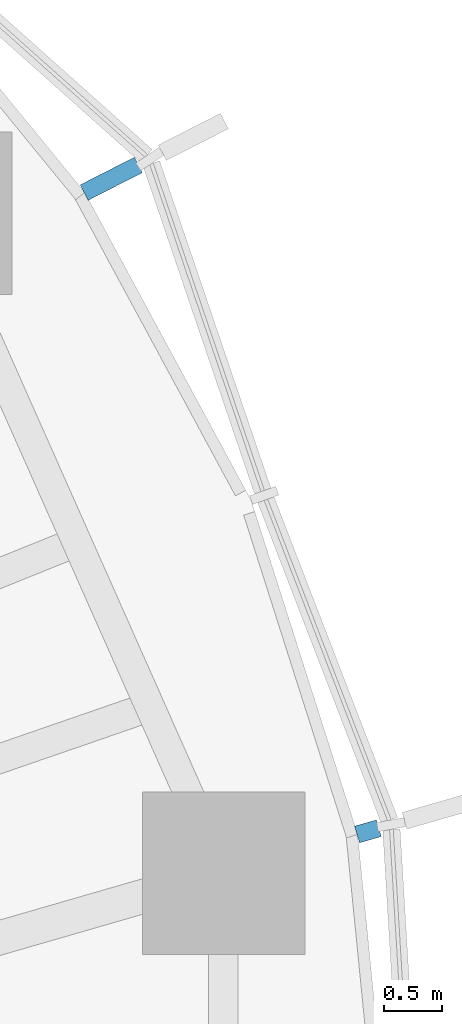
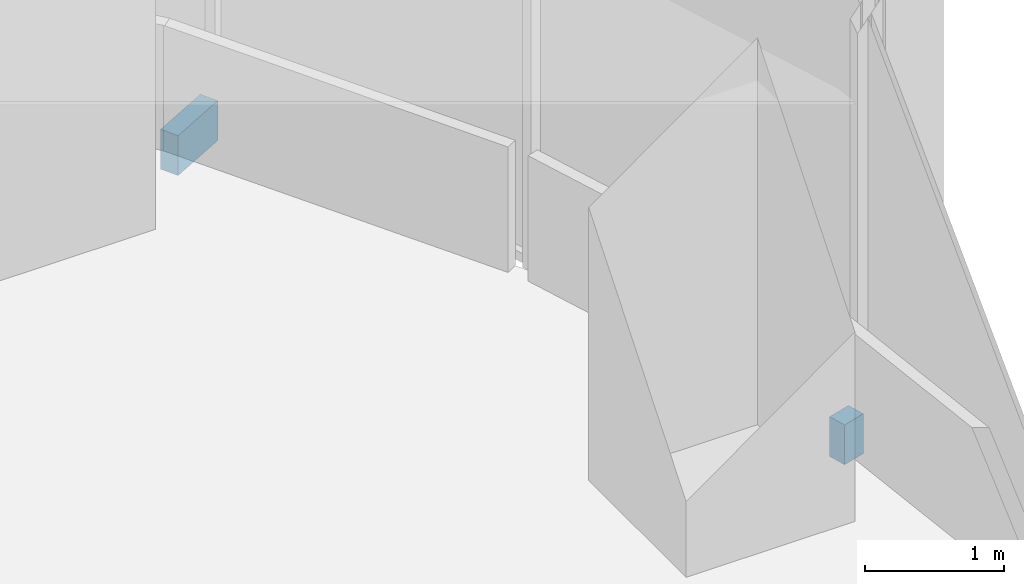
# One storey, part 16 of 18: 2 discrete accessories.
"""IFC4 building model written with IfcOpenShell, lengths in metres."""

import ifcopenshell
import ifcopenshell.guid

model = None  # the IFC model being written
_history = None  # IfcOwnerHistory: only IFC2X3 demands one
_inside = {}  # id of a spatial element -> (the spatial element, [elements in it])
_under = {}  # id of a project, library or spatial element -> (it, [spatial elements below it])
_declared = {}  # id of a project -> (the project, [libraries it declares])
_typed = {}  # id of a type object -> (the type object, [elements of that type])
_made_of = {}  # id of a material, layer set ... -> (it, [elements and type objects made of it])


def new_model(schema):
    """Start an empty IFC model of exactly this schema.

    Asked for "IFC4X3", IfcOpenShell would pick the latest addendum, in which some entities
    have other attributes; the version numbers below select the first issue.
    IFC2X3 requires an IfcOwnerHistory on every rooted entity: one is made here for all.
    """
    global model, _history
    if schema == "IFC4X3":
        model = ifcopenshell.file(schema_version=(4, 3, 0, 0))
    else:
        model = ifcopenshell.file(schema=schema)
    _inside.clear()
    _under.clear()
    _declared.clear()
    _typed.clear()
    _made_of.clear()
    _history = None
    if model.schema == "IFC2X3":
        org = make("IfcOrganization", Name="unknown")
        user = make(
            "IfcPersonAndOrganization",
            ThePerson=make("IfcPerson", FamilyName="unknown"),
            TheOrganization=org,
        )
        app = make(
            "IfcApplication",
            ApplicationDeveloper=org,
            Version="unknown",
            ApplicationFullName="unknown",
            ApplicationIdentifier="unknown",
        )
        _history = make(
            "IfcOwnerHistory",
            OwningUser=user,
            OwningApplication=app,
            ChangeAction="ADDED",
            CreationDate=0,
        )
    return model


def make(cls, **values):
    """One entity of the class cls with the attributes given. An attribute that is None is left unset."""
    return model.create_entity(
        cls, **{name: value for name, value in values.items() if value is not None}
    )


def rooted(cls, **values):
    """An entity with a GlobalId (a new one), such as an element, a storey or a relation."""
    return make(cls, GlobalId=ifcopenshell.guid.new(), OwnerHistory=_history, **values)


def si_unit(unit_type, name, prefix=None):
    """IfcSIUnit, for example si_unit("LENGTHUNIT", "METRE", prefix="MILLI")."""
    return make("IfcSIUnit", UnitType=unit_type, Prefix=prefix, Name=name)


def assignment(units):
    """IfcUnitAssignment: the units of a project."""
    return None if units is None else make("IfcUnitAssignment", Units=units)


def point(xyz):
    """IfcCartesianPoint."""
    return None if xyz is None else make("IfcCartesianPoint", Coordinates=xyz)


def direction(xyz):
    """IfcDirection."""
    return None if xyz is None else make("IfcDirection", DirectionRatios=xyz)


def frame(location, z_axis=None, x_axis=None):
    """IfcAxis2Placement3D, a coordinate frame: its origin and axes. An axis left out is left unset."""
    return make(
        "IfcAxis2Placement3D",
        Location=point(location),
        Axis=direction(z_axis),
        RefDirection=direction(x_axis),
    )


def frame_2d(location, x_axis=None):
    """IfcAxis2Placement2D, a coordinate frame in the plane: its origin and x axis."""
    return make(
        "IfcAxis2Placement2D", Location=point(location), RefDirection=direction(x_axis)
    )


def origin():
    """The frame at (0, 0, 0) with its axes left unset."""
    return frame((0.0, 0.0, 0.0))


def origin_2d():
    """The frame at (0, 0) in the plane with its x axis left unset."""
    return frame_2d((0.0, 0.0))


def place(relative_to, where):
    """IfcLocalPlacement: puts the frame where relative to a parent placement (None: the world)."""
    return make(
        "IfcLocalPlacement", PlacementRelTo=relative_to, RelativePlacement=where
    )


def context(
    kind, dimensions, precision=None, world=None, true_north=None, identifier=None
):
    """IfcGeometricRepresentationContext, for example the 3D "Model" context."""
    return make(
        "IfcGeometricRepresentationContext",
        ContextIdentifier=identifier,
        ContextType=kind,
        CoordinateSpaceDimension=dimensions,
        Precision=precision,
        WorldCoordinateSystem=world,
        TrueNorth=true_north,
    )


def subcontext(parent, identifier, kind, view, scale=None):
    """IfcGeometricRepresentationSubContext, for example "Body" below "Model"."""
    return make(
        "IfcGeometricRepresentationSubContext",
        ContextIdentifier=identifier,
        ContextType=kind,
        ParentContext=parent,
        TargetScale=scale,
        TargetView=view,
    )


def project(units=None, contexts=None):
    """IfcProject with its units and contexts."""
    return rooted(
        "IfcProject",
        Name="project",
        RepresentationContexts=contexts,
        UnitsInContext=assignment(units),
    )


def spatial(cls, under=None, at=None, **own):
    """A site, building, storey or space (cls), placed at a placement, below another one or the project."""
    s = rooted(cls, ObjectPlacement=at, **own)
    if under is not None:
        _under.setdefault(under.id(), (under, []))[1].append(s)
    return s


def profile(cls, at=None, kind="AREA", **sizes):
    """A parametric profile (cls). Its sizes go by their IFC names, for example OverallWidth=200.0."""
    return make(cls, ProfileType=kind, Position=at, **sizes)


def rectangle(**sizes):
    """IfcRectangleProfileDef."""
    return profile("IfcRectangleProfileDef", **sizes)


def extrude(swept, where, along, depth):
    """IfcExtrudedAreaSolid: the profile swept, set in the frame where, extruded along a direction by depth."""
    return make(
        "IfcExtrudedAreaSolid",
        SweptArea=swept,
        Position=where,
        ExtrudedDirection=direction(along),
        Depth=depth,
    )


def shape(context_of_items, identifier, shape_type, items):
    """IfcShapeRepresentation: the items that make up one representation, for example the "Body"."""
    return make(
        "IfcShapeRepresentation",
        ContextOfItems=context_of_items,
        RepresentationIdentifier=identifier,
        RepresentationType=shape_type,
        Items=items,
    )


def material(Name=None, Category=None):
    """IfcMaterial."""
    return make("IfcMaterial", Name=Name, Category=Category)


def made_of(thing, what):
    """Note that an element or type object is made of a material, layer set ...; save() writes the relation."""
    if what is not None:
        _made_of.setdefault(what.id(), (what, []))[1].append(thing)
    return thing


def type_object(cls, material=None, **own):
    """A type object (cls), such as IfcWallType, which elements share."""
    return made_of(rooted(cls, **own), material)


def element(
    cls,
    number,
    at=None,
    inside=None,
    cuts=None,
    type_object=None,
    material=None,
    context=None,
    identifier="Body",
    shape_type=None,
    held_by="IfcProductDefinitionShape",
    body=None,
    shapes=None,
    **own,
):
    """One element of the class cls, such as IfcWall. Its Tag is "e" and its number.

    at: its placement. inside: the storey or other place that contains it. cuts: it is an
    opening in that element (IfcRelVoidsElement). A single representation is given by context,
    identifier, shape_type and body (its items); several are given by shapes. held_by: the class
    of the entity that holds the representations. save() writes the other relations.
    """
    e = rooted(cls, Tag="e%d" % number, ObjectPlacement=at, **own)
    if body is not None:
        shapes = [shape(context, identifier, shape_type, body)]
    if shapes is not None:
        e.Representation = make(held_by, Representations=shapes)
    if inside is not None:
        _inside.setdefault(inside.id(), (inside, []))[1].append(e)
    if cuts is not None:
        rooted(
            "IfcRelVoidsElement", RelatingBuildingElement=cuts, RelatedOpeningElement=e
        )
    if type_object is not None:
        _typed.setdefault(type_object.id(), (type_object, []))[1].append(e)
    return made_of(e, material)


def aggregate(whole, parts):
    """IfcRelAggregates: a whole, such as a stair, and the parts it consists of."""
    return rooted("IfcRelAggregates", RelatingObject=whole, RelatedObjects=parts)


def save(model, path):
    """Write the relations noted so far, then the file.

    IfcRelAggregates (storeys below a building ...), IfcRelContainedInSpatialStructure (elements
    in a storey), IfcRelDefinesByType, IfcRelAssociatesMaterial and IfcRelDeclares: one each for
    every whole, place, type object, material and project.
    """
    for whole, parts in _under.values():
        aggregate(whole, parts)
    for where, things in _inside.values():
        rooted(
            "IfcRelContainedInSpatialStructure",
            RelatedElements=things,
            RelatingStructure=where,
        )
    for kind, things in _typed.values():
        rooted("IfcRelDefinesByType", RelatedObjects=things, RelatingType=kind)
    for what, things in _made_of.values():
        rooted("IfcRelAssociatesMaterial", RelatedObjects=things, RelatingMaterial=what)
    for by, libraries in _declared.values():
        rooted("IfcRelDeclares", RelatingContext=by, RelatedDefinitions=libraries)
    model.write(path)


model = new_model("IFC4")

# Units and contexts
model_context = context("Model", 3, precision=1e-05, world=origin(), true_north=direction((0.0, 1.0)))
body_context = subcontext(model_context, "Body", "Model", "MODEL_VIEW")
ifc_project = project(units=[si_unit("LENGTHUNIT", "METRE"), si_unit("AREAUNIT", "SQUARE_METRE"), si_unit("VOLUMEUNIT", "CUBIC_METRE"), si_unit("PLANEANGLEUNIT", "RADIAN"), si_unit("MASSUNIT", "GRAM", prefix="KILO")], contexts=[model_context])

# Site, building, storey
site_placement = place(None, origin())
site = spatial("IfcSite", under=ifc_project, at=site_placement, CompositionType="ELEMENT")
building_placement = place(site_placement, origin())
building = spatial("IfcBuilding", under=site, at=building_placement, Name="Ghaith Harvest Tower", CompositionType="ELEMENT")
storey_placement = place(building_placement, frame((0.0, 0.0, 155.39990234375)))
storey = spatial("IfcBuildingStorey", under=building, at=storey_placement, Name="L33", CompositionType="ELEMENT", Elevation=155.39990234375)

# Discrete accessories
ifc_material_1 = material(Name="Stainless steel grade 1.4401", Category="steel")
discrete_accessory_type_1 = type_object("IfcDiscreteAccessoryType", Name="CURTAIN WALL BRACKET 195", PredefinedType="BRACKET", material=ifc_material_1)
discrete_accessory_1_placement = place(storey_placement, frame((30.528076171875, 8.8232421875, -0.25), z_axis=(0.0, 0.0, 1.0), x_axis=(0.960680349985, 0.277656739792, 0.0)))
element("IfcDiscreteAccessory", 1, at=discrete_accessory_1_placement, inside=storey, type_object=discrete_accessory_type_1, Name="CW-L bracket 1 bay 02 L33", PredefinedType="BRACKET", context=body_context, shape_type="SweptSolid", body=[
    extrude(rectangle(XDim=0.195068359375, YDim=0.14990234375, at=origin_2d()), origin(), (0.0, 0.0, 1.0), 0.35009765625),
])
ifc_material_2 = material(Name="Stainless steel grade 1.4401", Category="steel")
discrete_accessory_type_2 = type_object("IfcDiscreteAccessoryType", Name="CURTAIN WALL BRACKET 525", PredefinedType="BRACKET", material=ifc_material_2)
discrete_accessory_2_placement = place(storey_placement, frame((28.318115234375, 14.442626953125, -0.25), z_axis=(0.0, 0.0, 1.0), x_axis=(0.890830752257, 0.454335306611, 0.0)))
element("IfcDiscreteAccessory", 2, at=discrete_accessory_2_placement, inside=storey, type_object=discrete_accessory_type_2, Name="CW-L bracket 3 bay 02 L33", PredefinedType="BRACKET", context=body_context, shape_type="SweptSolid", body=[
    extrude(rectangle(XDim=0.52490234375, YDim=0.14990234375, at=origin_2d()), origin(), (0.0, 0.0, 1.0), 0.35009765625),
])

save(model, "model.ifc")
